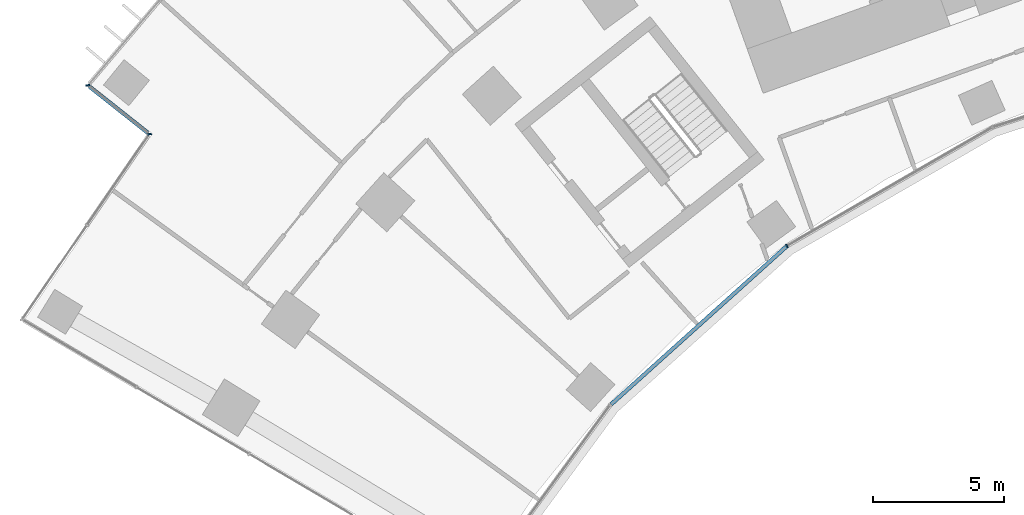
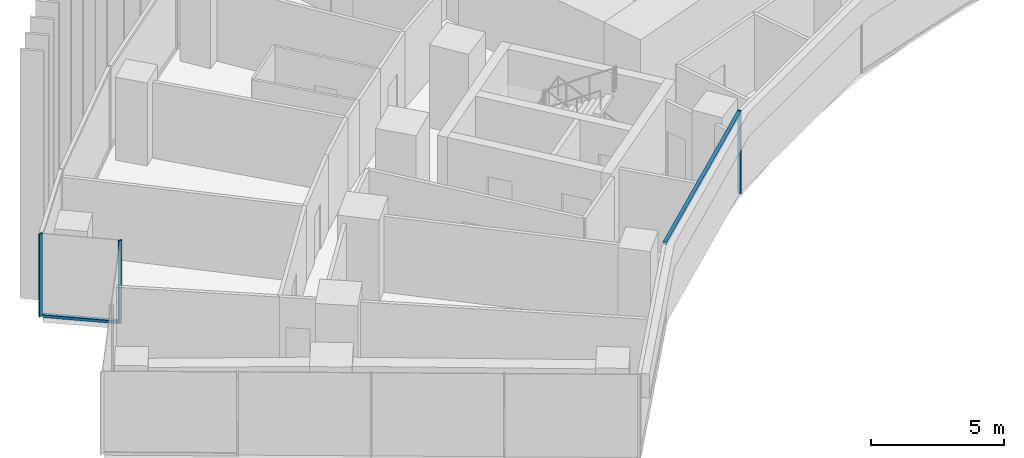
# One storey, part 3 of 24: 5 members, 3 elements without a shape of their own.
"""IFC4 building model written with IfcOpenShell, lengths in metres."""

from ifc_helpers import new_model, si_unit, direction, frame, origin, origin_2d, place, context, subcontext, project, spatial, rectangle, extrude, material, layer, layer_set, material_profile, profile_set, type_object, element, aggregate, save


model = new_model("IFC4")

# Units and contexts
model_context = context("Model", 3, precision=1e-05, world=origin(), true_north=direction((0.0, 1.0)))
body_context = subcontext(model_context, "Body", "Model", "MODEL_VIEW")
ifc_project = project(units=[si_unit("LENGTHUNIT", "METRE"), si_unit("AREAUNIT", "SQUARE_METRE"), si_unit("VOLUMEUNIT", "CUBIC_METRE"), si_unit("PLANEANGLEUNIT", "RADIAN"), si_unit("MASSUNIT", "GRAM", prefix="KILO")], contexts=[model_context])

# Site, building, storey
site_placement = place(None, origin())
site = spatial("IfcSite", under=ifc_project, at=site_placement, CompositionType="ELEMENT")
building_placement = place(site_placement, origin())
building = spatial("IfcBuilding", under=site, at=building_placement, Name="Stone Belt Terrace Tower", CompositionType="ELEMENT")
storey_placement = place(building_placement, frame((0.0, 0.0, 64.199951171875)))
storey = spatial("IfcBuildingStorey", under=building, at=storey_placement, Name="L15", CompositionType="ELEMENT", Elevation=64.199951171875)

# Curtain wall, members
ifc_material = material(Name="Aluminium 6063-T6 anodised frame", Category="aluminium")
ifc_layer_1 = layer(ifc_material, 0.14990234375)
ifc_layer_set_1 = layer_set([ifc_layer_1], Name="CW-B unitised concave-face curtain wall")
curtain_wall_type_1 = type_object("IfcCurtainWallType", Name="CW-B unitised concave-face curtain wall", PredefinedType="NOTDEFINED", material=ifc_layer_set_1)
curtain_wall_1_placement = place(storey_placement, origin())
curtain_wall_1 = element("IfcCurtainWall", 1, at=curtain_wall_1_placement, inside=storey, type_object=curtain_wall_type_1, Name="CW-B concave face L15", PredefinedType="NOTDEFINED")
ifc_material_profile_1 = material_profile(ifc_material, rectangle(XDim=0.14990234375, YDim=0.050048828125, at=origin_2d()), Name="Aluminium 6063-T6 50x150")
ifc_profile_set_1 = profile_set([ifc_material_profile_1], Name="Aluminium 6063-T6 anodised frame")
member_type_1 = type_object("IfcMemberType", Name="CW-B mullion 50 x 150", PredefinedType="MULLION", material=ifc_profile_set_1)
member_1_placement = place(storey_placement, frame((-25.5244140625, 35.13134765625, 0.0), z_axis=(0.0, 0.0, 1.0), x_axis=(-0.587785252292, 0.809016994375, 0.0)))
member_1 = element("IfcMember", 2, at=member_1_placement, type_object=member_type_1, Name="CW-B mullion 3", PredefinedType="MULLION", context=body_context, shape_type="SweptSolid", body=[
    extrude(rectangle(XDim=0.14990234375, YDim=0.050048828125, at=origin_2d()), origin(), (0.0, 0.0, 1.0), 3.800048828125),
])
ifc_material_profile_2 = material_profile(ifc_material, rectangle(XDim=0.14990234375, YDim=0.1201171875, at=origin_2d()), Name="Aluminium 6063-T6 150x120")
ifc_profile_set_2 = profile_set([ifc_material_profile_2], Name="Aluminium 6063-T6 anodised frame")
member_type_2 = type_object("IfcMemberType", Name="CW-B transom 120 x 150", PredefinedType="USERDEFINED", material=ifc_profile_set_2)
member_2_placement = place(storey_placement, frame((-32.246826171875, 29.078369140625, 3.739990234375), z_axis=(0.74315136283, 0.669123345822, 0.0), x_axis=(-0.669123345822, 0.74315136283, 0.0)))
member_2 = element("IfcMember", 3, at=member_2_placement, type_object=member_type_2, Name="CW-B transom 2.1", ObjectType="TRANSOM", PredefinedType="USERDEFINED", context=body_context, shape_type="SweptSolid", body=[
    extrude(rectangle(XDim=0.14990234375, YDim=0.1201171875, at=origin_2d()), origin(), (0.0, 0.0, 1.0), 9.01318359375),
])
aggregate(curtain_wall_1, [member_1, member_2])

# Curtain wall, member
ifc_layer_2 = layer(ifc_material, 0.14990234375)
ifc_layer_set_2 = layer_set([ifc_layer_2], Name="CW-C stick curtain wall, horn ends and notches")
curtain_wall_type_2 = type_object("IfcCurtainWallType", Name="CW-C stick curtain wall, horn ends and notches", PredefinedType="NOTDEFINED", material=ifc_layer_set_2)
curtain_wall_2_placement = place(storey_placement, origin())
curtain_wall_2 = element("IfcCurtainWall", 4, at=curtain_wall_2_placement, inside=storey, type_object=curtain_wall_type_2, Name="CW-C notch face L15", PredefinedType="NOTDEFINED")
ifc_material_profile_3 = material_profile(ifc_material, rectangle(XDim=0.14990234375, YDim=0.06005859375, at=origin_2d()), Name="Aluminium 6063-T6 60x150")
ifc_profile_set_3 = profile_set([ifc_material_profile_3], Name="Aluminium 6063-T6 anodised frame")
member_type_3 = type_object("IfcMemberType", Name="CW-C mullion 60 x 150", PredefinedType="MULLION", material=ifc_profile_set_3)
member_3_placement = place(storey_placement, frame((-52.24072265625, 41.27294921875, 0.0), z_axis=(0.0, 0.0, 1.0), x_axis=(0.995023084308, 0.099644677203, 0.0)))
member_3 = element("IfcMember", 5, at=member_3_placement, type_object=member_type_3, Name="CW-C mullion 1", PredefinedType="MULLION", context=body_context, shape_type="SweptSolid", body=[
    extrude(rectangle(XDim=0.14990234375, YDim=0.06005859375, at=origin_2d()), origin(), (0.0, 0.0, 1.0), 3.800048828125),
])

curtain_wall_3_placement = place(storey_placement, origin())
curtain_wall_3 = element("IfcCurtainWall", 6, at=curtain_wall_3_placement, inside=storey, type_object=curtain_wall_type_2, Name="CW-C notch face L15", PredefinedType="NOTDEFINED")
member_4_placement = place(storey_placement, frame((-49.88330078125, 39.406005859375, 0.0), z_axis=(0.0, 0.0, 1.0), x_axis=(0.988851375203, 0.14890586879, 0.0)))
member_4 = element("IfcMember", 7, at=member_4_placement, type_object=member_type_3, Name="CW-C mullion 1", PredefinedType="MULLION", context=body_context, shape_type="SweptSolid", body=[
    extrude(rectangle(XDim=0.14990234375, YDim=0.06005859375, at=origin_2d()), origin(), (0.0, 0.0, 1.0), 3.800048828125),
])
aggregate(curtain_wall_3, [member_4])

# Member
ifc_material_profile_4 = material_profile(ifc_material, rectangle(XDim=0.14990234375, YDim=0.1201171875, at=origin_2d()), Name="Aluminium 6063-T6 150x120")
ifc_profile_set_4 = profile_set([ifc_material_profile_4], Name="Aluminium 6063-T6 anodised frame")
member_type_4 = type_object("IfcMemberType", Name="CW-C transom 120 x 150", PredefinedType="USERDEFINED", material=ifc_profile_set_4)
member_5_placement = place(storey_placement, frame((-52.18212890625, 41.2265625, 0.06005859375), z_axis=(0.783966177893, -0.620803537297, 0.0), x_axis=(0.620803537297, 0.783966177893, 0.0)))
member_5 = element("IfcMember", 8, at=member_5_placement, type_object=member_type_4, Name="CW-C transom 1.1", ObjectType="TRANSOM", PredefinedType="USERDEFINED", context=body_context, shape_type="SweptSolid", body=[
    extrude(rectangle(XDim=0.14990234375, YDim=0.1201171875, at=origin_2d()), origin(), (0.0, 0.0, 1.0), 2.859375),
])

aggregate(curtain_wall_2, [member_3, member_5])

save(model, "model.ifc")
